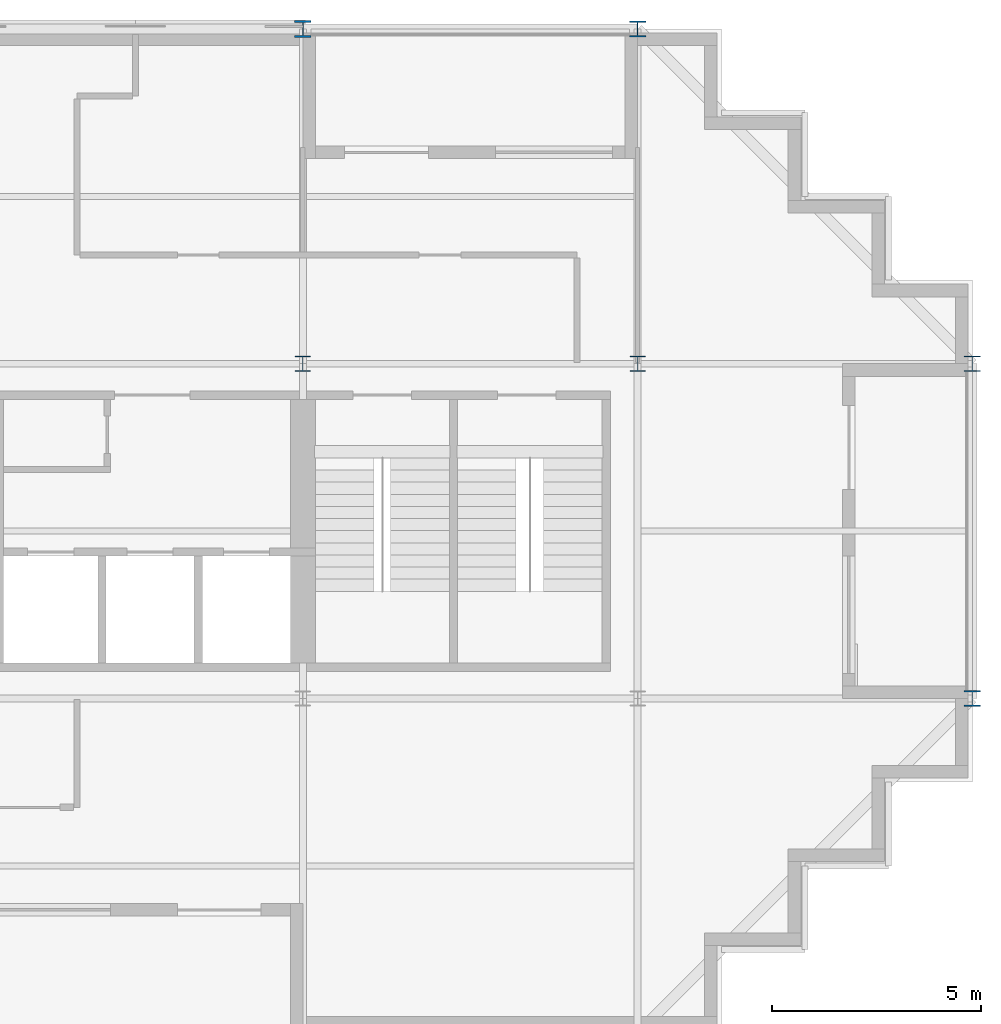
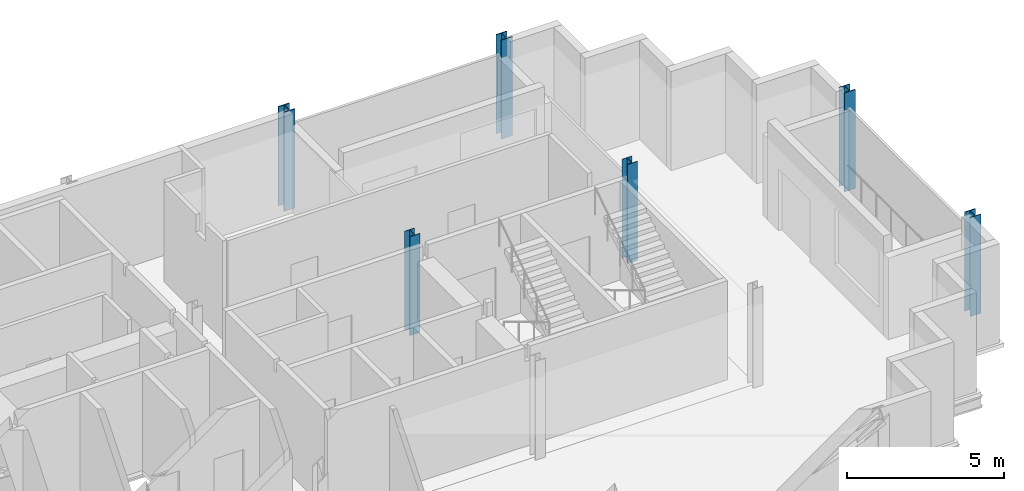
# One storey, part 2 of 8: 6 columns.
"""IFC4 building model written with IfcOpenShell, lengths in metres."""

from ifc_helpers import new_model, si_unit, direction, frame, origin, origin_2d, place, context, subcontext, project, spatial, i_section, extrude, material, material_profile, profile_set, type_object, element, save


model = new_model("IFC4")

# Units and contexts
model_context = context("Model", 3, precision=1e-05, world=origin(), true_north=direction((0.0, 1.0)))
body_context = subcontext(model_context, "Body", "Model", "MODEL_VIEW")
ifc_project = project(units=[si_unit("LENGTHUNIT", "METRE"), si_unit("AREAUNIT", "SQUARE_METRE"), si_unit("VOLUMEUNIT", "CUBIC_METRE"), si_unit("PLANEANGLEUNIT", "RADIAN"), si_unit("MASSUNIT", "GRAM", prefix="KILO")], contexts=[model_context])

# Site, building, storey
site_placement = place(None, origin())
site = spatial("IfcSite", under=ifc_project, at=site_placement, CompositionType="ELEMENT")
building_placement = place(site_placement, origin())
building = spatial("IfcBuilding", under=site, at=building_placement, Name="Immortelle Media Tower", CompositionType="ELEMENT")
storey_placement = place(building_placement, frame((0.0, 0.0, 267.0)))
storey = spatial("IfcBuildingStorey", under=building, at=storey_placement, Name="L58", CompositionType="ELEMENT", Elevation=267.0)

# Columns
ifc_material = material(Name="Steel ASTM A992 Gr 50", Category="steel")
ifc_material_profile_1 = material_profile(ifc_material, i_section(OverallWidth=0.39404296875, OverallDepth=0.3759765625, WebThickness=0.01708984375, FlangeThickness=0.028076171875, at=origin_2d()), Name="W14x145")
ifc_profile_set_1 = profile_set([ifc_material_profile_1], Name="Steel ASTM A992 Gr 50")
column_type_1 = type_object("IfcColumnType", Name="W14x145 column", PredefinedType="COLUMN", material=ifc_profile_set_1)
for number, where, z_axis, x_axis, name in (
    (1, (40.0, 24.0, 0.0), (0.0, 0.0, 1.0), (1.0, 0.0, 0.0), "Column 6/D"),
    (2, (48.0, 8.0, 0.0), (0.0, 0.0, 1.0), (1.0, 0.0, 0.0), "Column 7/B"),
    (3, (48.0, 16.0, 0.0), (0.0, 0.0, 1.0), (1.0, 0.0, 0.0), "Column 7/C"),
):
    element("IfcColumn", number, at=place(storey_placement, frame(where, z_axis=z_axis, x_axis=x_axis)), inside=storey, type_object=column_type_1, Name=name, PredefinedType="COLUMN", context=body_context, shape_type="SweptSolid", body=[
        extrude(i_section(OverallWidth=0.39404296875, OverallDepth=0.3759765625, WebThickness=0.01708984375, FlangeThickness=0.028076171875, at=origin_2d()), origin(), (0.0, 0.0, 1.0), 3.85009765625),
    ])
ifc_material_profile_2 = material_profile(ifc_material, i_section(OverallWidth=0.40087890625, OverallDepth=0.39892578125, WebThickness=0.02490234375, FlangeThickness=0.0400390625, at=origin_2d()), Name="W14x211")
ifc_profile_set_2 = profile_set([ifc_material_profile_2], Name="Steel ASTM A992 Gr 50")
column_type_2 = type_object("IfcColumnType", Name="W14x211 column", PredefinedType="COLUMN", material=ifc_profile_set_2)
column_placement = place(storey_placement, frame((32.0, 24.0, 0.0), z_axis=(0.0, 0.0, 1.0), x_axis=(1.0, 0.0, 0.0)))
element("IfcColumn", 4, at=column_placement, inside=storey, type_object=column_type_2, Name="Column 5/D", PredefinedType="COLUMN", context=body_context, shape_type="SweptSolid", body=[
    extrude(i_section(OverallWidth=0.40087890625, OverallDepth=0.39892578125, WebThickness=0.02490234375, FlangeThickness=0.0400390625, at=origin_2d()), origin(), (0.0, 0.0, 1.0), 3.85009765625),
])
ifc_material_profile_3 = material_profile(ifc_material, i_section(OverallWidth=0.37109375, OverallDepth=0.361083984375, WebThickness=0.011962890625, FlangeThickness=0.02001953125, at=origin_2d()), Name="W14x99")
ifc_profile_set_3 = profile_set([ifc_material_profile_3], Name="Steel ASTM A992 Gr 50")
column_type_3 = type_object("IfcColumnType", Name="W14x99 column", PredefinedType="COLUMN", material=ifc_profile_set_3)
for number, where, z_axis, x_axis, name in (
    (5, (32.0, 16.0, 0.0), (0.0, 0.0, 1.0), (1.0, 0.0, 0.0), "Column 5/C"),
    (6, (40.0, 16.0, 0.0), (0.0, 0.0, 1.0), (1.0, 0.0, 0.0), "Column 6/C"),
):
    element("IfcColumn", number, at=place(storey_placement, frame(where, z_axis=z_axis, x_axis=x_axis)), inside=storey, type_object=column_type_3, Name=name, PredefinedType="COLUMN", context=body_context, shape_type="SweptSolid", body=[
        extrude(i_section(OverallWidth=0.37109375, OverallDepth=0.361083984375, WebThickness=0.011962890625, FlangeThickness=0.02001953125, at=origin_2d()), origin(), (0.0, 0.0, 1.0), 3.85009765625),
    ])

save(model, "model.ifc")
